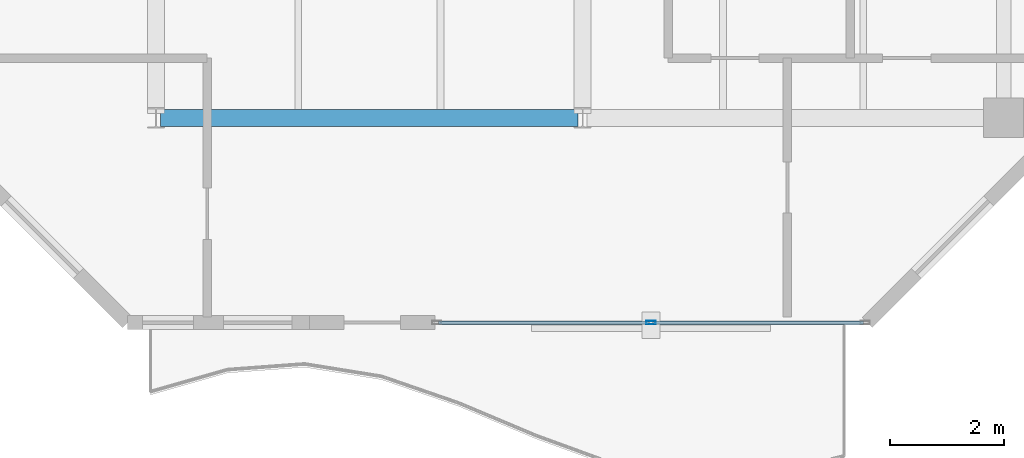
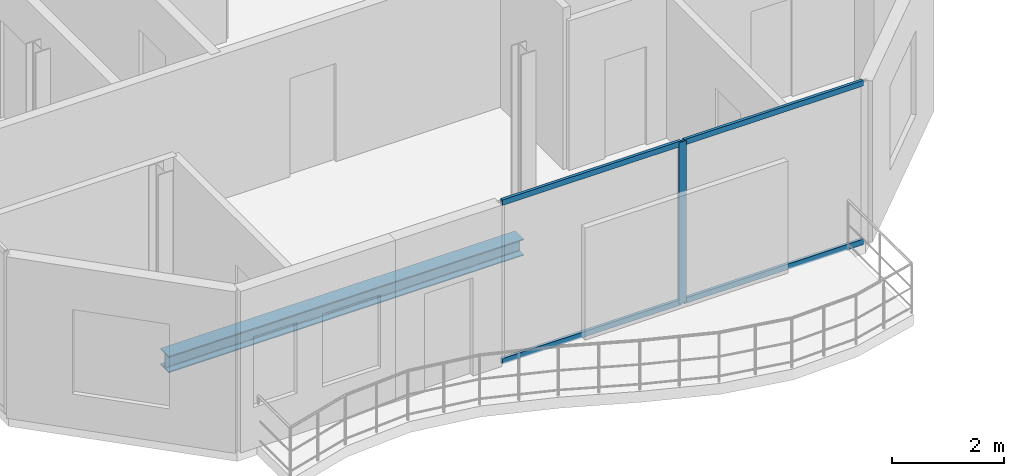
# One storey, part 4 of 23: 5 members, 1 beam, 1 element without a shape of its own.
"""IFC4 building model written with IfcOpenShell, lengths in metres."""

from ifc_helpers import new_model, si_unit, direction, frame, origin, origin_2d, place, context, subcontext, project, spatial, hollow_rectangle, i_section, extrude, material, layer, layer_set, material_profile, profile_set, type_object, element, aggregate, save


model = new_model("IFC4")

# Units and contexts
model_context = context("Model", 3, precision=1e-05, world=origin(), true_north=direction((0.0, 1.0)))
body_context = subcontext(model_context, "Body", "Model", "MODEL_VIEW")
ifc_project = project(units=[si_unit("LENGTHUNIT", "METRE"), si_unit("AREAUNIT", "SQUARE_METRE"), si_unit("VOLUMEUNIT", "CUBIC_METRE"), si_unit("PLANEANGLEUNIT", "RADIAN"), si_unit("MASSUNIT", "GRAM", prefix="KILO")], contexts=[model_context])

# Site, building, storey
site_placement = place(None, origin())
site = spatial("IfcSite", under=ifc_project, at=site_placement, CompositionType="ELEMENT")
building_placement = place(site_placement, origin())
building = spatial("IfcBuilding", under=site, at=building_placement, Name="Catumbela Crestline Tower", CompositionType="ELEMENT")
storey_placement = place(building_placement, frame((0.0, 0.0, 248.8)))
storey = spatial("IfcBuildingStorey", under=building, at=storey_placement, Name="L64", CompositionType="ELEMENT", Elevation=248.8)

# Beam
ifc_material_1 = material(Name="Structural steel S355J2", Category="steel")
ifc_material_profile_1 = material_profile(ifc_material_1, i_section(OverallWidth=0.3, OverallDepth=0.36, WebThickness=0.0125, FlangeThickness=0.0225, FilletRadius=0.027, at=origin_2d()), Name="HEB 360")
ifc_profile_set_1 = profile_set([ifc_material_profile_1], Name="Structural steel S355J2")
beam_type = type_object("IfcBeamType", Name="BG-HEB360", PredefinedType="BEAM", material=ifc_profile_set_1)
beam_placement = place(storey_placement, frame((8.58, 13.6, -0.44), z_axis=(1.0, 0.0, 0.0), x_axis=(0.0, 1.0, 0.0)))
element("IfcBeam", 1, at=beam_placement, inside=storey, type_object=beam_type, Name="L64 Beam BM-L64-WEW27", PredefinedType="BEAM", context=body_context, shape_type="SweptSolid", body=[
    extrude(i_section(OverallWidth=0.3, OverallDepth=0.36, WebThickness=0.0125, FlangeThickness=0.0225, FilletRadius=0.027, at=origin_2d()), origin(), (0.0, 0.0, 1.0), 7.34),
])

# Curtain wall, members
ifc_material_2 = material(Name="Aluminium alloy AW-6060-T66", Category="aluminium")
ifc_layer = layer(ifc_material_2, 0.18, Name="Aluminium alloy AW-6060-T66")
ifc_layer_set = layer_set([ifc_layer], Name="Aluminium alloy AW-6060-T66")
curtain_wall_type = type_object("IfcCurtainWallType", Name="CWU-Z4", PredefinedType="USERDEFINED", material=ifc_layer_set)
curtain_wall_placement = place(storey_placement, origin())
curtain_wall = element("IfcCurtainWall", 2, at=curtain_wall_placement, inside=storey, type_object=curtain_wall_type, Name="L64 Unitised Curtain Wall CW-L64-E0S2", ObjectType="UNITISED", PredefinedType="USERDEFINED")
ifc_material_profile_2 = material_profile(ifc_material_2, hollow_rectangle(XDim=0.06, YDim=0.16, WallThickness=0.004, at=origin_2d()), Name="ALU 160x60x4")
ifc_profile_set_2 = profile_set([ifc_material_profile_2], Name="Aluminium alloy AW-6060-T66")
member_type_1 = type_object("IfcMemberType", Name="MUL-160X60", PredefinedType="MULLION", material=ifc_profile_set_2)
member_1_placement = place(storey_placement, frame((17.2, 10.0, 0.0), z_axis=(0.0, 0.0, 1.0), x_axis=(0.0, 1.0, 0.0)))
member_1 = element("IfcMember", 3, at=member_1_placement, type_object=member_type_1, Name="CWU-Z4 mullion 2", PredefinedType="MULLION", context=body_context, shape_type="SweptSolid", body=[
    extrude(hollow_rectangle(XDim=0.06, YDim=0.16, WallThickness=0.004, at=origin_2d()), origin(), (0.0, 0.0, 1.0), 3.53),
])
ifc_material_profile_3 = material_profile(ifc_material_2, hollow_rectangle(XDim=0.06, YDim=0.12, WallThickness=0.0035, at=origin_2d()), Name="ALU 120x60x3.5")
ifc_profile_set_3 = profile_set([ifc_material_profile_3], Name="Aluminium alloy AW-6060-T66")
member_type_2 = type_object("IfcMemberType", Name="TRN-120X60", PredefinedType="USERDEFINED", material=ifc_profile_set_3)
member_2_placement = place(storey_placement, frame((13.465, 10.0, 0.03), z_axis=(1.0, 0.0, 0.0), x_axis=(0.0, 1.0, 0.0)))
member_2 = element("IfcMember", 4, at=member_2_placement, type_object=member_type_2, Name="CWU-Z4 transom 1.1", ObjectType="TRANSOM", PredefinedType="USERDEFINED", context=body_context, shape_type="SweptSolid", body=[
    extrude(hollow_rectangle(XDim=0.06, YDim=0.12, WallThickness=0.0035, at=origin_2d()), origin(), (0.0, 0.0, 1.0), 3.7025),
])
member_3_placement = place(storey_placement, frame((13.465, 10.0, 3.5), z_axis=(1.0, 0.0, 0.0), x_axis=(0.0, 1.0, 0.0)))
member_3 = element("IfcMember", 5, at=member_3_placement, type_object=member_type_2, Name="CWU-Z4 transom 1.2", ObjectType="TRANSOM", PredefinedType="USERDEFINED", context=body_context, shape_type="SweptSolid", body=[
    extrude(hollow_rectangle(XDim=0.06, YDim=0.12, WallThickness=0.0035, at=origin_2d()), origin(), (0.0, 0.0, 1.0), 3.7025),
])
member_4_placement = place(storey_placement, frame((17.2325, 10.0, 0.03), z_axis=(1.0, 0.0, 0.0), x_axis=(0.0, 1.0, 0.0)))
member_4 = element("IfcMember", 6, at=member_4_placement, type_object=member_type_2, Name="CWU-Z4 transom 2.1", ObjectType="TRANSOM", PredefinedType="USERDEFINED", context=body_context, shape_type="SweptSolid", body=[
    extrude(hollow_rectangle(XDim=0.06, YDim=0.12, WallThickness=0.0035, at=origin_2d()), origin(), (0.0, 0.0, 1.0), 3.7025),
])
member_5_placement = place(storey_placement, frame((17.2325, 10.0, 3.5), z_axis=(1.0, 0.0, 0.0), x_axis=(0.0, 1.0, 0.0)))
member_5 = element("IfcMember", 7, at=member_5_placement, type_object=member_type_2, Name="CWU-Z4 transom 2.2", ObjectType="TRANSOM", PredefinedType="USERDEFINED", context=body_context, shape_type="SweptSolid", body=[
    extrude(hollow_rectangle(XDim=0.06, YDim=0.12, WallThickness=0.0035, at=origin_2d()), origin(), (0.0, 0.0, 1.0), 3.7025),
])
aggregate(curtain_wall, [member_1, member_2, member_3, member_4, member_5])

save(model, "model.ifc")
